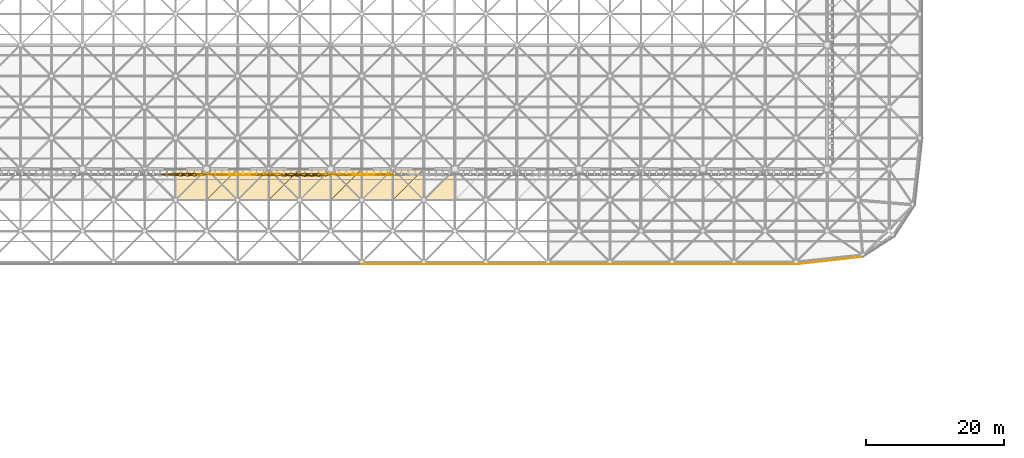
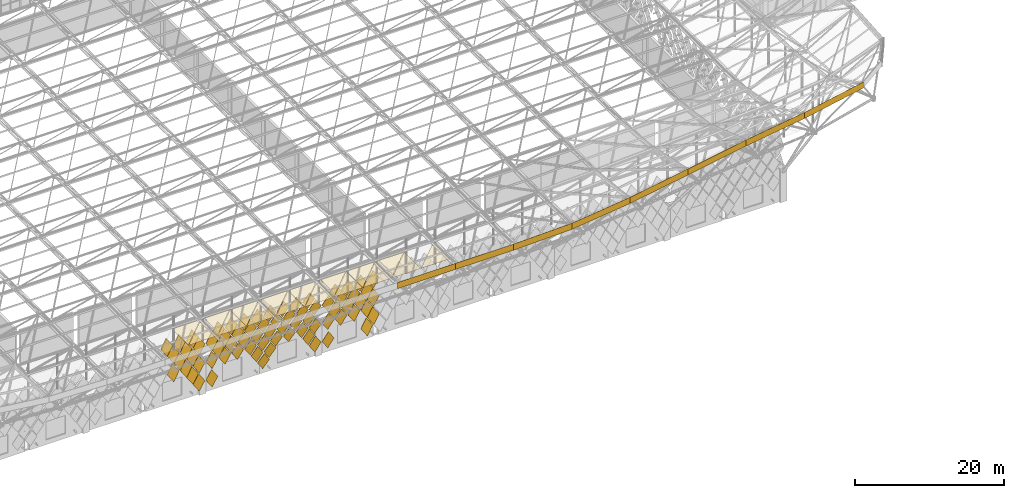
# One storey, part 414 of 437: 97 coverings.
"""IFC4 building model written with IfcOpenShell, lengths in metres."""

from ifc_helpers import new_model, si_unit, direction, frame, origin, place, context, subcontext, project, spatial, polyline, outline, extrude, material, layer, layer_set, material_profile, profile_set, type_object, element, save


model = new_model("IFC4")

# Units and contexts
model_context = context("Model", 3, precision=1e-05, world=origin(), true_north=direction((0.0, 1.0)))
body_context = subcontext(model_context, "Body", "Model", "MODEL_VIEW")
ifc_project = project(units=[si_unit("LENGTHUNIT", "METRE"), si_unit("AREAUNIT", "SQUARE_METRE"), si_unit("VOLUMEUNIT", "CUBIC_METRE"), si_unit("PLANEANGLEUNIT", "RADIAN"), si_unit("MASSUNIT", "GRAM", prefix="KILO")], contexts=[model_context])

# Site, building, storey
site_placement = place(None, origin())
site = spatial("IfcSite", under=ifc_project, at=site_placement, CompositionType="ELEMENT")
building_placement = place(site_placement, origin())
building = spatial("IfcBuilding", under=site, at=building_placement, Name="Opaline Strait Convention Centre", CompositionType="ELEMENT")
storey_placement = place(building_placement, frame((0.0, 0.0, 11.5)))
storey = spatial("IfcBuildingStorey", under=building, at=storey_placement, Name="L02", CompositionType="ELEMENT", Elevation=11.5)

# Coverings
ifc_material_1 = material(Name="White ceramic-faced aluminium tile", Category="aluminium")
ifc_material_profile_1 = material_profile(ifc_material_1, outline(polyline([(0.927978515625, 0.0), (0.0, 1.39208984375), (-0.927978515625, 0.0), (0.0, -1.39208984375), (0.927978515625, 0.0)])), Name="Diamond tile 1856x2784")
ifc_profile_set_1 = profile_set([ifc_material_profile_1], Name="White ceramic-faced aluminium tile")
covering_type_1 = type_object("IfcCoveringType", Name="Diamond wall tile 1856x2784x30 pivot 3 deg", PredefinedType="CLADDING", material=ifc_profile_set_1)
for number, where, z_axis, x_axis, name in (
    (1, (170.25, 53.199951171875, 2.39208984375), (0.0, -0.998812351125, 0.048722553713), (1.0, 0.0, 0.0), "Wall tile XT06 S"),
    (2, (172.25, 53.199951171875, 2.39208984375), (0.0, -0.998812351125, 0.048722553713), (1.0, 0.0, 0.0), "Wall tile XT06 S"),
    (3, (188.25, 53.199951171875, 2.39208984375), (0.0, -0.998384516691, -0.056818631031), (1.0, 0.0, 0.0), "Wall tile XT06 S"),
    (4, (190.25, 53.199951171875, 2.39208984375), (0.0, -0.998384516691, -0.056818631031), (1.0, 0.0, 0.0), "Wall tile XT06 S"),
    (5, (174.25, 53.199951171875, 5.39208984375), (0.0, -0.998812351125, 0.048722553713), (1.0, 0.0, 0.0), "Wall tile XT06 S"),
    (6, (176.25, 53.199951171875, 5.39208984375), (0.0, -0.998384516691, -0.056818631031), (1.0, 0.0, 0.0), "Wall tile XT06 S"),
    (7, (192.25, 53.199951171875, 5.39208984375), (0.0, -0.998384516691, -0.056818631031), (1.0, 0.0, 0.0), "Wall tile XT06 S"),
    (8, (194.25, 53.199951171875, 5.39208984375), (0.0, -0.998812351125, 0.048722553713), (1.0, 0.0, 0.0), "Wall tile XT06 S"),
    (9, (175.25, 53.199951171875, 6.89208984375), (0.0, -0.998812351125, 0.048722553713), (1.0, 0.0, 0.0), "Wall tile XT06 S"),
    (10, (177.25, 53.199951171875, 6.89208984375), (0.0, -0.998384516691, -0.056818631031), (1.0, 0.0, 0.0), "Wall tile XT06 S"),
    (11, (193.25, 53.199951171875, 6.89208984375), (0.0, -0.998384516691, -0.056818631031), (1.0, 0.0, 0.0), "Wall tile XT06 S"),
    (12, (195.25, 53.199951171875, 6.89208984375), (0.0, -0.998812351125, 0.048722553713), (1.0, 0.0, 0.0), "Wall tile XT06 S"),
    (13, (176.25, 53.199951171875, 8.39208984375), (0.0, -0.998812351125, 0.048722553713), (1.0, 0.0, 0.0), "Wall tile XT06 S"),
    (14, (178.25, 53.199951171875, 8.39208984375), (0.0, -0.998384516691, -0.056818631031), (1.0, 0.0, 0.0), "Wall tile XT06 S"),
    (15, (194.25, 53.199951171875, 8.39208984375), (0.0, -0.998384516691, -0.056818631031), (1.0, 0.0, 0.0), "Wall tile XT06 S"),
    (16, (196.25, 53.199951171875, 8.39208984375), (0.0, -0.998812351125, 0.048722553713), (1.0, 0.0, 0.0), "Wall tile XT06 S"),
    (17, (177.25, 53.199951171875, 9.89208984375), (0.0, -0.998812351125, 0.048722553713), (1.0, 0.0, 0.0), "Wall tile XT06 S"),
    (18, (179.25, 53.199951171875, 9.89208984375), (0.0, -0.998384516691, -0.056818631031), (1.0, 0.0, 0.0), "Wall tile XT06 S"),
    (19, (195.25, 53.199951171875, 9.89208984375), (0.0, -0.998384516691, -0.056818631031), (1.0, 0.0, 0.0), "Wall tile XT06 S"),
    (20, (197.25, 53.199951171875, 9.89208984375), (0.0, -0.998812351125, 0.048722553713), (1.0, 0.0, 0.0), "Wall tile XT06 S"),
):
    element("IfcCovering", number, at=place(storey_placement, frame(where, z_axis=z_axis, x_axis=x_axis)), inside=storey, type_object=covering_type_1, Name=name, PredefinedType="CLADDING", context=body_context, shape_type="SweptSolid", body=[
        extrude(outline(polyline([(0.927978515625, 0.0), (0.0, 1.39208984375), (-0.927978515625, 0.0), (0.0, -1.39208984375), (0.927978515625, 0.0)])), origin(), (0.0, 0.0, 1.0), 0.030029296875),
    ])
ifc_material_profile_2 = material_profile(ifc_material_1, outline(polyline([(0.927978515625, 0.0), (0.0, 1.39208984375), (-0.927978515625, 0.0), (0.0, -1.39208984375), (0.927978515625, 0.0)])), Name="Diamond tile 1856x2784")
ifc_profile_set_2 = profile_set([ifc_material_profile_2], Name="White ceramic-faced aluminium tile")
covering_type_2 = type_object("IfcCoveringType", Name="Diamond wall tile 1856x2784x30 pivot 3.5 deg", PredefinedType="CLADDING", material=ifc_profile_set_2)
for number, where, z_axis, x_axis, name in (
    (21, (172.25, 53.199951171875, 5.39208984375), (0.0, -0.99835799028, 0.057282835508), (1.0, 0.0, 0.0), "Wall tile XT07 S"),
    (22, (190.25, 53.199951171875, 5.39208984375), (0.0, -0.99785694905, -0.065433242561), (1.0, 0.0, 0.0), "Wall tile XT07 S"),
    (23, (173.25, 53.199951171875, 6.89208984375), (0.0, -0.99835799028, 0.057282835508), (1.0, 0.0, 0.0), "Wall tile XT07 S"),
    (24, (191.25, 53.199951171875, 6.89208984375), (0.0, -0.99785694905, -0.065433242561), (1.0, 0.0, 0.0), "Wall tile XT07 S"),
):
    element("IfcCovering", number, at=place(storey_placement, frame(where, z_axis=z_axis, x_axis=x_axis)), inside=storey, type_object=covering_type_2, Name=name, PredefinedType="CLADDING", context=body_context, shape_type="SweptSolid", body=[
        extrude(outline(polyline([(0.927978515625, 0.0), (0.0, 1.39208984375), (-0.927978515625, 0.0), (0.0, -1.39208984375), (0.927978515625, 0.0)])), origin(), (0.0, 0.0, 1.0), 0.02978515625),
    ])
ifc_material_profile_3 = material_profile(ifc_material_1, outline(polyline([(0.927978515625, 0.0), (0.0, 1.39208984375), (-0.927978515625, 0.0), (0.0, -1.39208984375), (0.927978515625, 0.0)])), Name="Diamond tile 1856x2784")
ifc_profile_set_3 = profile_set([ifc_material_profile_3], Name="White ceramic-faced aluminium tile")
covering_type_3 = type_object("IfcCoveringType", Name="Diamond wall tile 1856x2784x30 pivot 4 deg", PredefinedType="CLADDING", material=ifc_profile_set_3)
for number, where, z_axis, x_axis, name in (
    (25, (174.25, 53.199951171875, 8.39208984375), (0.0, -0.99785694905, 0.065433242561), (1.0, 0.0, 0.0), "Wall tile XT08 S"),
    (26, (192.25, 53.199951171875, 8.39208984375), (0.0, -0.997290013252, -0.073570574748), (1.0, 0.0, 0.0), "Wall tile XT08 S"),
    (27, (175.25, 53.199951171875, 9.89208984375), (0.0, -0.99785694905, 0.065433242561), (1.0, 0.0, 0.0), "Wall tile XT08 S"),
    (28, (193.25, 53.199951171875, 9.89208984375), (0.0, -0.997290013252, -0.073570574748), (1.0, 0.0, 0.0), "Wall tile XT08 S"),
):
    element("IfcCovering", number, at=place(storey_placement, frame(where, z_axis=z_axis, x_axis=x_axis)), inside=storey, type_object=covering_type_3, Name=name, PredefinedType="CLADDING", context=body_context, shape_type="SweptSolid", body=[
        extrude(outline(polyline([(0.927978515625, 0.0), (0.0, 1.39208984375), (-0.927978515625, 0.0), (0.0, -1.39208984375), (0.927978515625, 0.0)])), origin(), (0.0, 0.0, 1.0), 0.02978515625),
    ])
ifc_material_profile_4 = material_profile(ifc_material_1, outline(polyline([(0.927978515625, 0.0), (0.0, 1.39208984375), (-0.927978515625, 0.0), (0.0, -1.39208984375), (0.927978515625, 0.0)])), Name="Diamond tile 1856x2784")
ifc_profile_set_4 = profile_set([ifc_material_profile_4], Name="White ceramic-faced aluminium tile")
covering_type_4 = type_object("IfcCoveringType", Name="Diamond wall tile 1856x2784x30 pivot 4.5 deg", PredefinedType="CLADDING", material=ifc_profile_set_4)
for number, where, z_axis, x_axis, name in (
    (29, (196.25, 53.199951171875, 5.39208984375), (0.0, -0.997290013252, 0.073570574748), (1.0, 0.0, 0.0), "Wall tile XT09 S"),
    (30, (197.25, 53.199951171875, 6.89208984375), (0.0, -0.997290013252, 0.073570574748), (1.0, 0.0, 0.0), "Wall tile XT09 S"),
    (31, (180.25, 53.199951171875, 8.39208984375), (0.0, -0.996657521232, -0.081693239445), (1.0, 0.0, 0.0), "Wall tile XT09 S"),
    (32, (181.25, 53.199951171875, 9.89208984375), (0.0, -0.996657521232, -0.081693239445), (1.0, 0.0, 0.0), "Wall tile XT09 S"),
):
    element("IfcCovering", number, at=place(storey_placement, frame(where, z_axis=z_axis, x_axis=x_axis)), inside=storey, type_object=covering_type_4, Name=name, PredefinedType="CLADDING", context=body_context, shape_type="SweptSolid", body=[
        extrude(outline(polyline([(0.927978515625, 0.0), (0.0, 1.39208984375), (-0.927978515625, 0.0), (0.0, -1.39208984375), (0.927978515625, 0.0)])), origin(), (0.0, 0.0, 1.0), 0.02978515625),
    ])
ifc_material_profile_5 = material_profile(ifc_material_1, outline(polyline([(0.927978515625, 0.0), (0.0, 1.39208984375), (-0.927978515625, 0.0), (0.0, -1.39208984375), (0.927978515625, 0.0)])), Name="Diamond tile 1856x2784")
ifc_profile_set_5 = profile_set([ifc_material_profile_5], Name="White ceramic-faced aluminium tile")
covering_type_5 = type_object("IfcCoveringType", Name="Diamond wall tile 1856x2784x30 pivot 5 deg", PredefinedType="CLADDING", material=ifc_profile_set_5)
for number, where, z_axis, x_axis, name in (
    (33, (178.25, 53.199951171875, 5.39208984375), (0.0, -0.995959849254, -0.089799658539), (1.0, 0.0, 0.0), "Wall tile XT10 S"),
    (34, (179.25, 53.199951171875, 6.89208984375), (0.0, -0.995959849254, -0.089799658539), (1.0, 0.0, 0.0), "Wall tile XT10 S"),
):
    element("IfcCovering", number, at=place(storey_placement, frame(where, z_axis=z_axis, x_axis=x_axis)), inside=storey, type_object=covering_type_5, Name=name, PredefinedType="CLADDING", context=body_context, shape_type="SweptSolid", body=[
        extrude(outline(polyline([(0.927978515625, 0.0), (0.0, 1.39208984375), (-0.927978515625, 0.0), (0.0, -1.39208984375), (0.927978515625, 0.0)])), origin(), (0.0, 0.0, 1.0), 0.02978515625),
    ])
ifc_material_profile_6 = material_profile(ifc_material_1, outline(polyline([(0.927978515625, 0.0), (0.0, 1.39208984375), (-0.927978515625, 0.0), (0.0, -1.39208984375), (0.927978515625, 0.0)])), Name="Diamond tile 1856x2784")
ifc_profile_set_6 = profile_set([ifc_material_profile_6], Name="White ceramic-faced aluminium tile")
covering_type_6 = type_object("IfcCoveringType", Name="Diamond wall tile 1856x2784x30 pivot 6 deg", PredefinedType="CLADDING", material=ifc_profile_set_6)
for number, where, z_axis, x_axis, name in (
    (35, (169.25, 53.199951171875, 3.89208984375), (0.0, -0.995197410875, 0.097888269922), (1.0, 0.0, 0.0), "Wall tile XT12 S"),
    (36, (187.25, 53.199951171875, 3.89208984375), (0.0, -0.994370656274, -0.105957528947), (1.0, 0.0, 0.0), "Wall tile XT12 S"),
    (37, (170.25, 53.199951171875, 5.39208984375), (0.0, -0.995197410875, 0.097888269922), (1.0, 0.0, 0.0), "Wall tile XT12 S"),
    (38, (188.25, 53.199951171875, 5.39208984375), (0.0, -0.994370656274, -0.105957528947), (1.0, 0.0, 0.0), "Wall tile XT12 S"),
    (39, (172.25, 53.199951171875, 8.39208984375), (0.0, -0.995197410875, 0.097888269922), (1.0, 0.0, 0.0), "Wall tile XT12 S"),
    (40, (190.25, 53.199951171875, 8.39208984375), (0.0, -0.994370656274, -0.105957528947), (1.0, 0.0, 0.0), "Wall tile XT12 S"),
):
    element("IfcCovering", number, at=place(storey_placement, frame(where, z_axis=z_axis, x_axis=x_axis)), inside=storey, type_object=covering_type_6, Name=name, PredefinedType="CLADDING", context=body_context, shape_type="SweptSolid", body=[
        extrude(outline(polyline([(0.927978515625, 0.0), (0.0, 1.39208984375), (-0.927978515625, 0.0), (0.0, -1.39208984375), (0.927978515625, 0.0)])), origin(), (0.0, 0.0, 1.0), 0.030029296875),
    ])
ifc_material_profile_7 = material_profile(ifc_material_1, outline(polyline([(0.927978515625, 0.0), (0.0, 1.39208984375), (-0.927978515625, 0.0), (0.0, -1.39208984375), (0.927978515625, 0.0)])), Name="Diamond tile 1856x2784")
ifc_profile_set_7 = profile_set([ifc_material_profile_7], Name="White ceramic-faced aluminium tile")
covering_type_7 = type_object("IfcCoveringType", Name="Diamond wall tile 1856x2784x30 pivot 6.5 deg", PredefinedType="CLADDING", material=ifc_profile_set_7)
for number, where, z_axis, x_axis, name in (
    (41, (197.25, 53.199951171875, 3.89208984375), (0.0, -0.993480071526, 0.114005909847), (1.0, 0.0, 0.0), "Wall tile XT13 S"),
    (42, (165.25, 53.199951171875, 9.89208984375), (0.0, -0.993480071526, 0.114005909847), (1.0, 0.0, 0.0), "Wall tile XT13 S"),
    (43, (173.25, 53.199951171875, 9.89208984375), (0.0, -0.993480071526, 0.114005909847), (1.0, 0.0, 0.0), "Wall tile XT13 S"),
    (44, (183.25, 53.199951171875, 9.89208984375), (0.0, -0.993480071526, -0.114005909847), (1.0, 0.0, 0.0), "Wall tile XT13 S"),
    (45, (191.25, 53.199951171875, 9.89208984375), (0.0, -0.993480071526, -0.114005909847), (1.0, 0.0, 0.0), "Wall tile XT13 S"),
):
    element("IfcCovering", number, at=place(storey_placement, frame(where, z_axis=z_axis, x_axis=x_axis)), inside=storey, type_object=covering_type_7, Name=name, PredefinedType="CLADDING", context=body_context, shape_type="SweptSolid", body=[
        extrude(outline(polyline([(0.927978515625, 0.0), (0.0, 1.39208984375), (-0.927978515625, 0.0), (0.0, -1.39208984375), (0.927978515625, 0.0)])), origin(), (0.0, 0.0, 1.0), 0.030029296875),
    ])
ifc_material_profile_8 = material_profile(ifc_material_1, outline(polyline([(0.927978515625, 0.0), (0.0, 1.39208984375), (-0.927978515625, 0.0), (0.0, -1.39208984375), (0.927978515625, 0.0)])), Name="Diamond tile 1856x2784")
ifc_profile_set_8 = profile_set([ifc_material_profile_8], Name="White ceramic-faced aluminium tile")
covering_type_8 = type_object("IfcCoveringType", Name="Diamond wall tile 1856x2784x30 pivot 7 deg", PredefinedType="CLADDING", material=ifc_profile_set_8)
for number, where, z_axis, x_axis, name in (
    (46, (196.25, 53.199951171875, 2.39208984375), (0.0, -0.992526177815, 0.122031907108), (1.0, 0.0, 0.0), "Wall tile XT14 S"),
    (47, (179.25, 53.199951171875, 3.89208984375), (0.0, -0.992526177815, -0.122031907108), (1.0, 0.0, 0.0), "Wall tile XT14 S"),
    (48, (180.25, 53.199951171875, 5.39208984375), (0.0, -0.992526177815, -0.122031907108), (1.0, 0.0, 0.0), "Wall tile XT14 S"),
    (49, (181.25, 53.199951171875, 6.89208984375), (0.0, -0.992526177815, -0.122031907108), (1.0, 0.0, 0.0), "Wall tile XT14 S"),
    (50, (182.25, 53.199951171875, 8.39208984375), (0.0, -0.992526177815, -0.122031907108), (1.0, 0.0, 0.0), "Wall tile XT14 S"),
):
    element("IfcCovering", number, at=place(storey_placement, frame(where, z_axis=z_axis, x_axis=x_axis)), inside=storey, type_object=covering_type_8, Name=name, PredefinedType="CLADDING", context=body_context, shape_type="SweptSolid", body=[
        extrude(outline(polyline([(0.927978515625, 0.0), (0.0, 1.39208984375), (-0.927978515625, 0.0), (0.0, -1.39208984375), (0.927978515625, 0.0)])), origin(), (0.0, 0.0, 1.0), 0.030029296875),
    ])
ifc_material_profile_9 = material_profile(ifc_material_1, outline(polyline([(0.927978515625, 0.0), (0.0, 1.39208984375), (-0.927978515625, 0.0), (0.0, -1.39208984375), (0.927978515625, 0.0)])), Name="Diamond tile 1856x2784")
ifc_profile_set_9 = profile_set([ifc_material_profile_9], Name="White ceramic-faced aluminium tile")
covering_type_9 = type_object("IfcCoveringType", Name="Diamond wall tile 1856x2784x30 pivot 7.5 deg", PredefinedType="CLADDING", material=ifc_profile_set_9)
for number, where, z_axis, x_axis, name in (
    (51, (168.25, 53.199951171875, 5.39208984375), (0.0, -0.991509530601, 0.1300340368), (1.0, 0.0, 0.0), "Wall tile XT15 S"),
    (52, (186.25, 53.199951171875, 5.39208984375), (0.0, -0.991509530601, -0.1300340368), (1.0, 0.0, 0.0), "Wall tile XT15 S"),
    (53, (169.25, 53.199951171875, 6.89208984375), (0.0, -0.991509530601, 0.1300340368), (1.0, 0.0, 0.0), "Wall tile XT15 S"),
    (54, (187.25, 53.199951171875, 6.89208984375), (0.0, -0.991509530601, -0.1300340368), (1.0, 0.0, 0.0), "Wall tile XT15 S"),
):
    element("IfcCovering", number, at=place(storey_placement, frame(where, z_axis=z_axis, x_axis=x_axis)), inside=storey, type_object=covering_type_9, Name=name, PredefinedType="CLADDING", context=body_context, shape_type="SweptSolid", body=[
        extrude(outline(polyline([(0.927978515625, 0.0), (0.0, 1.39208984375), (-0.927978515625, 0.0), (0.0, -1.39208984375), (0.927978515625, 0.0)])), origin(), (0.0, 0.0, 1.0), 0.030029296875),
    ])
ifc_material_profile_10 = material_profile(ifc_material_1, outline(polyline([(0.927978515625, 0.0), (0.0, 1.39208984375), (-0.927978515625, 0.0), (0.0, -1.39208984375), (0.927978515625, 0.0)])), Name="Diamond tile 1856x2784")
ifc_profile_set_10 = profile_set([ifc_material_profile_10], Name="White ceramic-faced aluminium tile")
covering_type_10 = type_object("IfcCoveringType", Name="Diamond wall tile 1856x2784x30 pivot 8 deg", PredefinedType="CLADDING", material=ifc_profile_set_10)
for number, where, z_axis, x_axis, name in (
    (55, (182.25, 53.199951171875, 5.39208984375), (0.0, -0.990274204789, -0.139129433731), (1.0, 0.0, 0.0), "Wall tile XT16 S"),
    (56, (183.25, 53.199951171875, 6.89208984375), (0.0, -0.990274204789, -0.139129433731), (1.0, 0.0, 0.0), "Wall tile XT16 S"),
    (57, (166.25, 53.199951171875, 8.39208984375), (0.0, -0.990274204789, 0.139129433731), (1.0, 0.0, 0.0), "Wall tile XT16 S"),
    (58, (170.25, 53.199951171875, 8.39208984375), (0.0, -0.990274204789, 0.139129433731), (1.0, 0.0, 0.0), "Wall tile XT16 S"),
    (59, (184.25, 53.199951171875, 8.39208984375), (0.0, -0.990274204789, -0.139129433731), (1.0, 0.0, 0.0), "Wall tile XT16 S"),
    (60, (188.25, 53.199951171875, 8.39208984375), (0.0, -0.990274204789, -0.139129433731), (1.0, 0.0, 0.0), "Wall tile XT16 S"),
    (61, (167.25, 53.199951171875, 9.89208984375), (0.0, -0.990274204789, 0.139129433731), (1.0, 0.0, 0.0), "Wall tile XT16 S"),
    (62, (185.25, 53.199951171875, 9.89208984375), (0.0, -0.990274204789, -0.139129433731), (1.0, 0.0, 0.0), "Wall tile XT16 S"),
):
    element("IfcCovering", number, at=place(storey_placement, frame(where, z_axis=z_axis, x_axis=x_axis)), inside=storey, type_object=covering_type_10, Name=name, PredefinedType="CLADDING", context=body_context, shape_type="SweptSolid", body=[
        extrude(outline(polyline([(0.927978515625, 0.0), (0.0, 1.39208984375), (-0.927978515625, 0.0), (0.0, -1.39208984375), (0.927978515625, 0.0)])), origin(), (0.0, 0.0, 1.0), 0.02978515625),
    ])
ifc_material_profile_11 = material_profile(ifc_material_1, outline(polyline([(0.927978515625, 0.0), (0.0, 1.39208984375), (-0.927978515625, 0.0), (0.0, -1.39208984375), (0.927978515625, 0.0)])), Name="Diamond tile 1856x2784")
ifc_profile_set_11 = profile_set([ifc_material_profile_11], Name="White ceramic-faced aluminium tile")
covering_type_11 = type_object("IfcCoveringType", Name="Diamond wall tile 1856x2784x30 pivot 8.5 deg", PredefinedType="CLADDING", material=ifc_profile_set_11)
for number, where, z_axis, x_axis, name in (
    (63, (180.25, 53.199951171875, 2.39208984375), (0.0, -0.987895005451, -0.15512400912), (1.0, 0.0, 0.0), "Wall tile XT17 S"),
    (64, (181.25, 53.199951171875, 3.89208984375), (0.0, -0.987895005451, -0.15512400912), (1.0, 0.0, 0.0), "Wall tile XT17 S"),
    (65, (166.25, 53.199951171875, 5.39208984375), (0.0, -0.989115504946, 0.147141149496), (1.0, 0.0, 0.0), "Wall tile XT17 S"),
    (66, (184.25, 53.199951171875, 5.39208984375), (0.0, -0.987895005451, -0.15512400912), (1.0, 0.0, 0.0), "Wall tile XT17 S"),
    (67, (167.25, 53.199951171875, 6.89208984375), (0.0, -0.989115504946, 0.147141149496), (1.0, 0.0, 0.0), "Wall tile XT17 S"),
    (68, (185.25, 53.199951171875, 6.89208984375), (0.0, -0.987895005451, -0.15512400912), (1.0, 0.0, 0.0), "Wall tile XT17 S"),
    (69, (168.25, 53.199951171875, 8.39208984375), (0.0, -0.989115504946, 0.147141149496), (1.0, 0.0, 0.0), "Wall tile XT17 S"),
    (70, (186.25, 53.199951171875, 8.39208984375), (0.0, -0.987895005451, -0.15512400912), (1.0, 0.0, 0.0), "Wall tile XT17 S"),
    (71, (169.25, 53.199951171875, 9.89208984375), (0.0, -0.989115504946, 0.147141149496), (1.0, 0.0, 0.0), "Wall tile XT17 S"),
    (72, (187.25, 53.199951171875, 9.89208984375), (0.0, -0.987895005451, -0.15512400912), (1.0, 0.0, 0.0), "Wall tile XT17 S"),
):
    element("IfcCovering", number, at=place(storey_placement, frame(where, z_axis=z_axis, x_axis=x_axis)), inside=storey, type_object=covering_type_11, Name=name, PredefinedType="CLADDING", context=body_context, shape_type="SweptSolid", body=[
        extrude(outline(polyline([(0.927978515625, 0.0), (0.0, 1.39208984375), (-0.927978515625, 0.0), (0.0, -1.39208984375), (0.927978515625, 0.0)])), origin(), (0.0, 0.0, 1.0), 0.02978515625),
    ])
ifc_material_2 = material(Name="White aluminium fascia plate", Category="aluminium")
ifc_layer_1 = layer(ifc_material_2, 0.02001953125)
ifc_layer_set_1 = layer_set([ifc_layer_1], Name="White aluminium fascia plate")
covering_type_12 = type_object("IfcCoveringType", Name="Edge fascia plate 20 aluminium", PredefinedType="CLADDING", material=ifc_layer_set_1)
for number, where, z_axis, x_axis, name in (
    (73, (198.0, 40.199951171875, 18.0), (0.0, -1.0, 0.0), (1.0, 0.0, 0.0), "Edge fascia plate S"),
    (74, (207.0, 40.199951171875, 18.0), (0.0, -1.0, 0.0), (1.0, 0.0, 0.0), "Edge fascia plate S"),
):
    element("IfcCovering", number, at=place(storey_placement, frame(where, z_axis=z_axis, x_axis=x_axis)), inside=storey, type_object=covering_type_12, Name=name, PredefinedType="CLADDING", context=body_context, shape_type="SweptSolid", body=[
        extrude(outline(polyline([(-4.5, 0.5), (4.5, 0.5), (4.5, -0.5), (-4.5, -0.5), (-4.5, 0.5)])), origin(), (0.0, 0.0, 1.0), 0.02001953125),
    ])
covering_1_placement = place(storey_placement, frame((216.0, 40.199951171875, 18.12646484375), z_axis=(0.0, -1.0, 0.0), x_axis=(1.0, 0.0, 0.0)))
element("IfcCovering", 75, at=covering_1_placement, inside=storey, type_object=covering_type_12, Name="Edge fascia plate S", PredefinedType="CLADDING", context=body_context, shape_type="SweptSolid", body=[
    extrude(outline(polyline([(-4.5, 0.373779296875), (4.5, 0.62646484375), (4.5, -0.37353515625), (-4.5, -0.626220703125), (-4.5, 0.373779296875)])), origin(), (0.0, 0.0, 1.0), 0.02001953125),
])
covering_2_placement = place(storey_placement, frame((225.0, 40.199951171875, 18.79638671875), z_axis=(0.0, -1.0, 0.0), x_axis=(1.0, 0.0, 0.0)))
element("IfcCovering", 76, at=covering_2_placement, inside=storey, type_object=covering_type_12, Name="Edge fascia plate S", PredefinedType="CLADDING", context=body_context, shape_type="SweptSolid", body=[
    extrude(outline(polyline([(-4.5, -0.043701171875), (4.5, 1.043701171875), (4.5, 0.043701171875), (-4.5, -1.043701171875), (-4.5, -0.043701171875)])), origin(), (0.0, 0.0, 1.0), 0.02001953125),
])
covering_3_placement = place(storey_placement, frame((234.0, 40.199951171875, 20.103515625), z_axis=(0.0, -1.0, 0.0), x_axis=(1.0, 0.0, 0.0)))
element("IfcCovering", 77, at=covering_3_placement, inside=storey, type_object=covering_type_12, Name="Edge fascia plate S", PredefinedType="CLADDING", context=body_context, shape_type="SweptSolid", body=[
    extrude(outline(polyline([(-4.5, -0.263671875), (4.5, 1.263671875), (4.5, 0.263671875), (-4.5, -1.263671875), (-4.5, -0.263671875)])), origin(), (0.0, 0.0, 1.0), 0.02001953125),
])
covering_4_placement = place(storey_placement, frame((243.0, 40.199951171875, 21.65966796875), z_axis=(0.0, -1.0, 0.0), x_axis=(1.0, 0.0, 0.0)))
element("IfcCovering", 78, at=covering_4_placement, inside=storey, type_object=covering_type_12, Name="Edge fascia plate S", PredefinedType="CLADDING", context=body_context, shape_type="SweptSolid", body=[
    extrude(outline(polyline([(-4.5, -0.29248046875), (4.5, 1.29248046875), (4.5, 0.29248046875), (-4.5, -1.29248046875), (-4.5, -0.29248046875)])), origin(), (0.0, 0.0, 1.0), 0.02001953125),
])
covering_5_placement = place(storey_placement, frame((252.008056640625, 40.199951171875, 23.124267578125), z_axis=(0.0, -1.0, 0.0), x_axis=(1.0, 0.0, 0.0)))
element("IfcCovering", 79, at=covering_5_placement, inside=storey, type_object=covering_type_12, Name="Edge fascia plate S", PredefinedType="CLADDING", context=body_context, shape_type="SweptSolid", body=[
    extrude(outline(polyline([(-4.508056640625, -0.17236328125), (4.508056640625, 1.17236328125), (4.508056640625, 0.17236328125), (-4.508056640625, -1.17236328125), (-4.508056640625, -0.17236328125)])), origin(), (0.0, 0.0, 1.0), 0.02001953125),
])
covering_6_placement = place(storey_placement, frame((261.3935546875, 40.718505859375, 24.2626953125), z_axis=(0.110431526075, -0.993883734674, 0.0), x_axis=(0.993883734674, 0.110431526075, 0.0)))
element("IfcCovering", 80, at=covering_6_placement, inside=storey, type_object=covering_type_12, Name="Edge fascia plate S", PredefinedType="CLADDING", context=body_context, shape_type="SweptSolid", body=[
    extrude(outline(polyline([(-4.9052734375, 0.0341796875), (4.9052734375, 0.9658203125), (4.9052734375, -0.0341796875), (-4.9052734375, -0.9658203125), (-4.9052734375, 0.0341796875)])), origin(), (0.0, 0.0, 1.0), 0.019775390625),
])
ifc_material_3 = material(Name="White aluminium soffit panel", Category="aluminium")
ifc_layer_2 = layer(ifc_material_3, 0.011962890625)
ifc_layer_set_2 = layer_set([ifc_layer_2], Name="White aluminium soffit panel")
covering_type_13 = type_object("IfcCoveringType", Name="Soffit lining panel 12 aluminium", PredefinedType="CEILING", material=ifc_layer_set_2)
covering_7_placement = place(storey_placement, frame((170.97998046875, 49.52001953125, 11.989990234375), z_axis=(0.0, 0.0, 1.0), x_axis=(-1.0, 0.0, 0.0)))
element("IfcCovering", 81, at=covering_7_placement, inside=storey, type_object=covering_type_13, Name="Soffit lining panel", PredefinedType="CEILING", context=body_context, shape_type="SweptSolid", body=[
    extrude(outline(polyline([(0.0, 0.0), (4.431640625, 0.0), (0.5517578125, -3.8798828125), (0.0, -3.8798828125), (0.0, 0.0)])), origin(), (0.0, 0.0, -1.0), 0.011962890625),
])
covering_8_placement = place(storey_placement, frame((170.39990234375, 53.97998046875, 11.989990234375), z_axis=(0.0, 0.0, 1.0), x_axis=(0.0, -1.0, 0.0)))
element("IfcCovering", 82, at=covering_8_placement, inside=storey, type_object=covering_type_13, Name="Soffit lining panel", PredefinedType="CEILING", context=body_context, shape_type="SweptSolid", body=[
    extrude(outline(polyline([(0.0, 0.0), (0.5517578125, 0.0), (4.431640625, -3.8798828125), (0.0, -3.8798828125), (0.0, 0.0)])), origin(), (0.0, 0.0, -1.0), 0.011962890625),
])
covering_9_placement = place(storey_placement, frame((171.04833984375, 49.52001953125, 11.989990234375), z_axis=(0.0, 0.0, 1.0), x_axis=(0.707106781187, 0.707106781187, 0.0)))
element("IfcCovering", 83, at=covering_9_placement, inside=storey, type_object=covering_type_13, Name="Soffit lining panel", PredefinedType="CEILING", context=body_context, shape_type="SweptSolid", body=[
    extrude(outline(polyline([(0.0, 0.0), (6.26728627543858, 0.0), (3.13364313771929, -3.13364313771929), (0.0, 0.0)])), origin(), (0.0, 0.0, -1.0), 0.011962890625),
])
covering_10_placement = place(storey_placement, frame((171.02001953125, 49.54833984375, 11.989990234375), z_axis=(0.0, 0.0, 1.0), x_axis=(0.0, 1.0, 0.0)))
element("IfcCovering", 84, at=covering_10_placement, inside=storey, type_object=covering_type_13, Name="Soffit lining panel", PredefinedType="CEILING", context=body_context, shape_type="SweptSolid", body=[
    extrude(outline(polyline([(0.0, 0.0), (3.8515625, 0.0), (3.8515625, -0.580078125), (4.431640625, -0.580078125), (4.431640625, -4.431640625), (0.0, 0.0)])), origin(), (0.0, 0.0, -1.0), 0.011962890625),
])
covering_11_placement = place(storey_placement, frame((175.54833984375, 49.52001953125, 11.989990234375), z_axis=(0.0, 0.0, 1.0), x_axis=(0.707106781187, 0.707106781187, 0.0)))
element("IfcCovering", 85, at=covering_11_placement, inside=storey, type_object=covering_type_13, Name="Soffit lining panel", PredefinedType="CEILING", context=body_context, shape_type="SweptSolid", body=[
    extrude(outline(polyline([(0.0, 0.0), (6.26728627543858, 0.0), (3.13364313771929, -3.13364313771929), (0.0, 0.0)])), origin(), (0.0, 0.0, -1.0), 0.011962890625),
])
covering_12_placement = place(storey_placement, frame((175.52001953125, 49.54833984375, 11.989990234375), z_axis=(0.0, 0.0, 1.0), x_axis=(0.0, 1.0, 0.0)))
element("IfcCovering", 86, at=covering_12_placement, inside=storey, type_object=covering_type_13, Name="Soffit lining panel", PredefinedType="CEILING", context=body_context, shape_type="SweptSolid", body=[
    extrude(outline(polyline([(0.0, 0.0), (4.431640625, 0.0), (4.431640625, -4.431640625), (0.0, 0.0)])), origin(), (0.0, 0.0, -1.0), 0.011962890625),
])
covering_13_placement = place(storey_placement, frame((180.04833984375, 49.52001953125, 11.989990234375), z_axis=(0.0, 0.0, 1.0), x_axis=(0.707106781187, 0.707106781187, 0.0)))
element("IfcCovering", 87, at=covering_13_placement, inside=storey, type_object=covering_type_13, Name="Soffit lining panel", PredefinedType="CEILING", context=body_context, shape_type="SweptSolid", body=[
    extrude(outline(polyline([(0.0, 0.0), (6.26728627543858, 0.0), (3.13364313771929, -3.13364313771929), (0.0, 0.0)])), origin(), (0.0, 0.0, -1.0), 0.011962890625),
])
covering_14_placement = place(storey_placement, frame((180.02001953125, 49.54833984375, 11.989990234375), z_axis=(0.0, 0.0, 1.0), x_axis=(0.0, 1.0, 0.0)))
element("IfcCovering", 88, at=covering_14_placement, inside=storey, type_object=covering_type_13, Name="Soffit lining panel", PredefinedType="CEILING", context=body_context, shape_type="SweptSolid", body=[
    extrude(outline(polyline([(0.0, 0.0), (4.431640625, 0.0), (4.431640625, -4.431640625), (0.0, 0.0)])), origin(), (0.0, 0.0, -1.0), 0.011962890625),
])
covering_15_placement = place(storey_placement, frame((188.97998046875, 49.52001953125, 11.989990234375), z_axis=(0.0, 0.0, 1.0), x_axis=(-1.0, 0.0, 0.0)))
element("IfcCovering", 89, at=covering_15_placement, inside=storey, type_object=covering_type_13, Name="Soffit lining panel", PredefinedType="CEILING", context=body_context, shape_type="SweptSolid", body=[
    extrude(outline(polyline([(0.0, 0.0), (4.431640625, 0.0), (0.5517578125, -3.8798828125), (0.0, -3.8798828125), (0.0, 0.0)])), origin(), (0.0, 0.0, -1.0), 0.011962890625),
])
covering_16_placement = place(storey_placement, frame((188.39990234375, 53.42822265625, 11.989990234375), z_axis=(0.0, 0.0, 1.0), x_axis=(-0.707106781187, -0.707106781187, 0.0)))
element("IfcCovering", 90, at=covering_16_placement, inside=storey, type_object=covering_type_13, Name="Soffit lining panel", PredefinedType="CEILING", context=body_context, shape_type="SweptSolid", body=[
    extrude(outline(polyline([(0.0, 0.0), (5.486982893855768, 0.0), (2.3533397561364784, -3.13364313771929), (-0.39015169079140566, -0.39015169079140566), (0.0, 0.0)])), origin(), (0.0, 0.0, -1.0), 0.011962890625),
])
covering_17_placement = place(storey_placement, frame((189.04833984375, 49.52001953125, 11.989990234375), z_axis=(0.0, 0.0, 1.0), x_axis=(0.707106781187, 0.707106781187, 0.0)))
element("IfcCovering", 91, at=covering_17_placement, inside=storey, type_object=covering_type_13, Name="Soffit lining panel", PredefinedType="CEILING", context=body_context, shape_type="SweptSolid", body=[
    extrude(outline(polyline([(0.0, 0.0), (6.26728627543858, 0.0), (3.13364313771929, -3.13364313771929), (0.0, 0.0)])), origin(), (0.0, 0.0, -1.0), 0.011962890625),
])
covering_18_placement = place(storey_placement, frame((189.02001953125, 49.54833984375, 11.989990234375), z_axis=(0.0, 0.0, 1.0), x_axis=(0.0, 1.0, 0.0)))
element("IfcCovering", 92, at=covering_18_placement, inside=storey, type_object=covering_type_13, Name="Soffit lining panel", PredefinedType="CEILING", context=body_context, shape_type="SweptSolid", body=[
    extrude(outline(polyline([(0.0, 0.0), (3.8515625, 0.0), (3.8515625, -0.580078125), (4.431640625, -0.580078125), (4.431640625, -4.431640625), (0.0, 0.0)])), origin(), (0.0, 0.0, -1.0), 0.011962890625),
])
covering_19_placement = place(storey_placement, frame((193.54833984375, 49.52001953125, 11.989990234375), z_axis=(0.0, 0.0, 1.0), x_axis=(0.707106781187, 0.707106781187, 0.0)))
element("IfcCovering", 93, at=covering_19_placement, inside=storey, type_object=covering_type_13, Name="Soffit lining panel", PredefinedType="CEILING", context=body_context, shape_type="SweptSolid", body=[
    extrude(outline(polyline([(0.0, 0.0), (6.26728627543858, 0.0), (3.13364313771929, -3.13364313771929), (0.0, 0.0)])), origin(), (0.0, 0.0, -1.0), 0.011962890625),
])
covering_20_placement = place(storey_placement, frame((193.52001953125, 49.54833984375, 11.989990234375), z_axis=(0.0, 0.0, 1.0), x_axis=(0.0, 1.0, 0.0)))
element("IfcCovering", 94, at=covering_20_placement, inside=storey, type_object=covering_type_13, Name="Soffit lining panel", PredefinedType="CEILING", context=body_context, shape_type="SweptSolid", body=[
    extrude(outline(polyline([(0.0, 0.0), (4.431640625, 0.0), (4.431640625, -4.431640625), (0.0, 0.0)])), origin(), (0.0, 0.0, -1.0), 0.011962890625),
])
covering_21_placement = place(storey_placement, frame((198.04833984375, 49.52001953125, 11.989990234375), z_axis=(0.0, 0.0, 1.0), x_axis=(0.707106781187, 0.707106781187, 0.0)))
element("IfcCovering", 95, at=covering_21_placement, inside=storey, type_object=covering_type_13, Name="Soffit lining panel", PredefinedType="CEILING", context=body_context, shape_type="SweptSolid", body=[
    extrude(outline(polyline([(0.0, 0.0), (6.26728627543858, 0.0), (3.13364313771929, -3.13364313771929), (0.0, 0.0)])), origin(), (0.0, 0.0, -1.0), 0.011962890625),
])
covering_22_placement = place(storey_placement, frame((198.02001953125, 49.54833984375, 11.989990234375), z_axis=(0.0, 0.0, 1.0), x_axis=(0.0, 1.0, 0.0)))
element("IfcCovering", 96, at=covering_22_placement, inside=storey, type_object=covering_type_13, Name="Soffit lining panel", PredefinedType="CEILING", context=body_context, shape_type="SweptSolid", body=[
    extrude(outline(polyline([(0.0, 0.0), (4.431640625, 0.0), (4.431640625, -4.431640625), (0.0, 0.0)])), origin(), (0.0, 0.0, -1.0), 0.011962890625),
])
covering_23_placement = place(storey_placement, frame((202.54833984375, 49.52001953125, 11.989990234375), z_axis=(0.0, 0.0, 1.0), x_axis=(0.707106781187, 0.707106781187, 0.0)))
element("IfcCovering", 97, at=covering_23_placement, inside=storey, type_object=covering_type_13, Name="Soffit lining panel", PredefinedType="CEILING", context=body_context, shape_type="SweptSolid", body=[
    extrude(outline(polyline([(0.0, 0.0), (5.486982893855768, 0.0), (5.877134584647174, -0.39015169079140577), (3.13364313771929, -3.13364313771929), (0.0, 0.0)])), origin(), (0.0, 0.0, -1.0), 0.011962890625),
])

save(model, "model.ifc")
